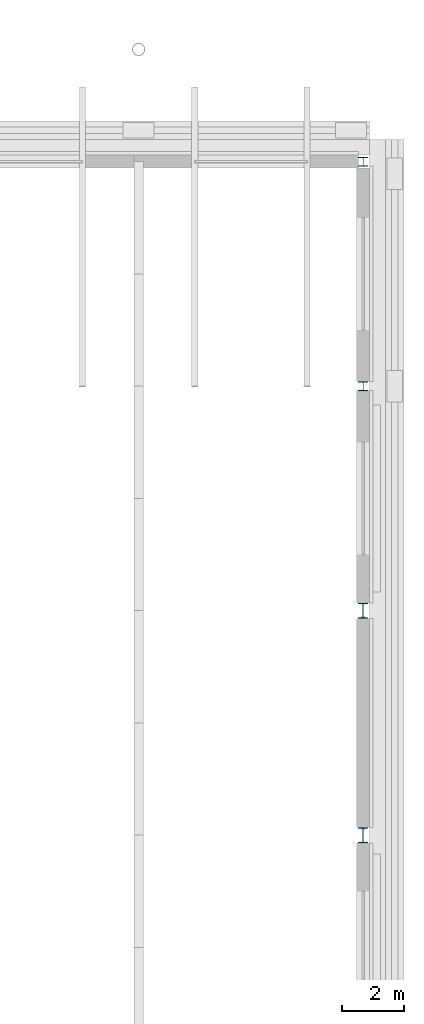
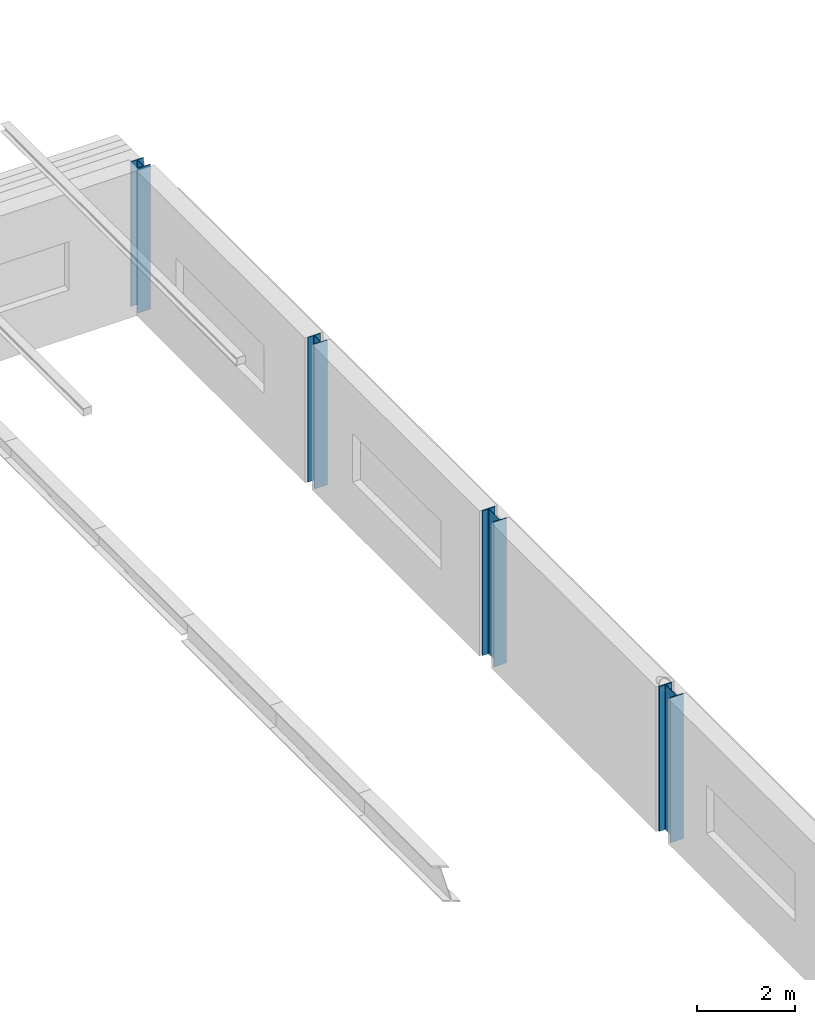
# One storey, part 17 of 110: 4 columns.
"""IFC4 building model written with IfcOpenShell, lengths in metres."""

import ifcopenshell
import ifcopenshell.guid

model = None  # the IFC model being written
_history = None  # IfcOwnerHistory: only IFC2X3 demands one
_inside = {}  # id of a spatial element -> (the spatial element, [elements in it])
_under = {}  # id of a project, library or spatial element -> (it, [spatial elements below it])
_declared = {}  # id of a project -> (the project, [libraries it declares])
_typed = {}  # id of a type object -> (the type object, [elements of that type])
_made_of = {}  # id of a material, layer set ... -> (it, [elements and type objects made of it])


def new_model(schema):
    """Start an empty IFC model of exactly this schema.

    Asked for "IFC4X3", IfcOpenShell would pick the latest addendum, in which some entities
    have other attributes; the version numbers below select the first issue.
    IFC2X3 requires an IfcOwnerHistory on every rooted entity: one is made here for all.
    """
    global model, _history
    if schema == "IFC4X3":
        model = ifcopenshell.file(schema_version=(4, 3, 0, 0))
    else:
        model = ifcopenshell.file(schema=schema)
    _inside.clear()
    _under.clear()
    _declared.clear()
    _typed.clear()
    _made_of.clear()
    _history = None
    if model.schema == "IFC2X3":
        org = make("IfcOrganization", Name="unknown")
        user = make(
            "IfcPersonAndOrganization",
            ThePerson=make("IfcPerson", FamilyName="unknown"),
            TheOrganization=org,
        )
        app = make(
            "IfcApplication",
            ApplicationDeveloper=org,
            Version="unknown",
            ApplicationFullName="unknown",
            ApplicationIdentifier="unknown",
        )
        _history = make(
            "IfcOwnerHistory",
            OwningUser=user,
            OwningApplication=app,
            ChangeAction="ADDED",
            CreationDate=0,
        )
    return model


def make(cls, **values):
    """One entity of the class cls with the attributes given. An attribute that is None is left unset."""
    return model.create_entity(
        cls, **{name: value for name, value in values.items() if value is not None}
    )


def rooted(cls, **values):
    """An entity with a GlobalId (a new one), such as an element, a storey or a relation."""
    return make(cls, GlobalId=ifcopenshell.guid.new(), OwnerHistory=_history, **values)


def si_unit(unit_type, name, prefix=None):
    """IfcSIUnit, for example si_unit("LENGTHUNIT", "METRE", prefix="MILLI")."""
    return make("IfcSIUnit", UnitType=unit_type, Prefix=prefix, Name=name)


def assignment(units):
    """IfcUnitAssignment: the units of a project."""
    return None if units is None else make("IfcUnitAssignment", Units=units)


def point(xyz):
    """IfcCartesianPoint."""
    return None if xyz is None else make("IfcCartesianPoint", Coordinates=xyz)


def direction(xyz):
    """IfcDirection."""
    return None if xyz is None else make("IfcDirection", DirectionRatios=xyz)


def frame(location, z_axis=None, x_axis=None):
    """IfcAxis2Placement3D, a coordinate frame: its origin and axes. An axis left out is left unset."""
    return make(
        "IfcAxis2Placement3D",
        Location=point(location),
        Axis=direction(z_axis),
        RefDirection=direction(x_axis),
    )


def frame_2d(location, x_axis=None):
    """IfcAxis2Placement2D, a coordinate frame in the plane: its origin and x axis."""
    return make(
        "IfcAxis2Placement2D", Location=point(location), RefDirection=direction(x_axis)
    )


def origin():
    """The frame at (0, 0, 0) with its axes left unset."""
    return frame((0.0, 0.0, 0.0))


def origin_2d():
    """The frame at (0, 0) in the plane with its x axis left unset."""
    return frame_2d((0.0, 0.0))


def place(relative_to, where):
    """IfcLocalPlacement: puts the frame where relative to a parent placement (None: the world)."""
    return make(
        "IfcLocalPlacement", PlacementRelTo=relative_to, RelativePlacement=where
    )


def context(
    kind, dimensions, precision=None, world=None, true_north=None, identifier=None
):
    """IfcGeometricRepresentationContext, for example the 3D "Model" context."""
    return make(
        "IfcGeometricRepresentationContext",
        ContextIdentifier=identifier,
        ContextType=kind,
        CoordinateSpaceDimension=dimensions,
        Precision=precision,
        WorldCoordinateSystem=world,
        TrueNorth=true_north,
    )


def subcontext(parent, identifier, kind, view, scale=None):
    """IfcGeometricRepresentationSubContext, for example "Body" below "Model"."""
    return make(
        "IfcGeometricRepresentationSubContext",
        ContextIdentifier=identifier,
        ContextType=kind,
        ParentContext=parent,
        TargetScale=scale,
        TargetView=view,
    )


def project(units=None, contexts=None):
    """IfcProject with its units and contexts."""
    return rooted(
        "IfcProject",
        Name="project",
        RepresentationContexts=contexts,
        UnitsInContext=assignment(units),
    )


def spatial(cls, under=None, at=None, **own):
    """A site, building, storey or space (cls), placed at a placement, below another one or the project."""
    s = rooted(cls, ObjectPlacement=at, **own)
    if under is not None:
        _under.setdefault(under.id(), (under, []))[1].append(s)
    return s


def profile(cls, at=None, kind="AREA", **sizes):
    """A parametric profile (cls). Its sizes go by their IFC names, for example OverallWidth=200.0."""
    return make(cls, ProfileType=kind, Position=at, **sizes)


def i_section(**sizes):
    """IfcIShapeProfileDef."""
    return profile("IfcIShapeProfileDef", **sizes)


def extrude(swept, where, along, depth):
    """IfcExtrudedAreaSolid: the profile swept, set in the frame where, extruded along a direction by depth."""
    return make(
        "IfcExtrudedAreaSolid",
        SweptArea=swept,
        Position=where,
        ExtrudedDirection=direction(along),
        Depth=depth,
    )


def shape(context_of_items, identifier, shape_type, items):
    """IfcShapeRepresentation: the items that make up one representation, for example the "Body"."""
    return make(
        "IfcShapeRepresentation",
        ContextOfItems=context_of_items,
        RepresentationIdentifier=identifier,
        RepresentationType=shape_type,
        Items=items,
    )


def material(Name=None, Category=None):
    """IfcMaterial."""
    return make("IfcMaterial", Name=Name, Category=Category)


def material_profile(
    of_material, cross_section, Name=None, Category=None, Priority=None
):
    """IfcMaterialProfile: a cross section and its material."""
    return make(
        "IfcMaterialProfile",
        Name=Name,
        Material=of_material,
        Profile=cross_section,
        Priority=Priority,
        Category=Category,
    )


def profile_set(profiles, Name=None, composite=None):
    """IfcMaterialProfileSet."""
    return make(
        "IfcMaterialProfileSet",
        Name=Name,
        MaterialProfiles=profiles,
        CompositeProfile=composite,
    )


def made_of(thing, what):
    """Note that an element or type object is made of a material, layer set ...; save() writes the relation."""
    if what is not None:
        _made_of.setdefault(what.id(), (what, []))[1].append(thing)
    return thing


def type_object(cls, material=None, **own):
    """A type object (cls), such as IfcWallType, which elements share."""
    return made_of(rooted(cls, **own), material)


def element(
    cls,
    number,
    at=None,
    inside=None,
    cuts=None,
    type_object=None,
    material=None,
    context=None,
    identifier="Body",
    shape_type=None,
    held_by="IfcProductDefinitionShape",
    body=None,
    shapes=None,
    **own,
):
    """One element of the class cls, such as IfcWall. Its Tag is "e" and its number.

    at: its placement. inside: the storey or other place that contains it. cuts: it is an
    opening in that element (IfcRelVoidsElement). A single representation is given by context,
    identifier, shape_type and body (its items); several are given by shapes. held_by: the class
    of the entity that holds the representations. save() writes the other relations.
    """
    e = rooted(cls, Tag="e%d" % number, ObjectPlacement=at, **own)
    if body is not None:
        shapes = [shape(context, identifier, shape_type, body)]
    if shapes is not None:
        e.Representation = make(held_by, Representations=shapes)
    if inside is not None:
        _inside.setdefault(inside.id(), (inside, []))[1].append(e)
    if cuts is not None:
        rooted(
            "IfcRelVoidsElement", RelatingBuildingElement=cuts, RelatedOpeningElement=e
        )
    if type_object is not None:
        _typed.setdefault(type_object.id(), (type_object, []))[1].append(e)
    return made_of(e, material)


def aggregate(whole, parts):
    """IfcRelAggregates: a whole, such as a stair, and the parts it consists of."""
    return rooted("IfcRelAggregates", RelatingObject=whole, RelatedObjects=parts)


def save(model, path):
    """Write the relations noted so far, then the file.

    IfcRelAggregates (storeys below a building ...), IfcRelContainedInSpatialStructure (elements
    in a storey), IfcRelDefinesByType, IfcRelAssociatesMaterial and IfcRelDeclares: one each for
    every whole, place, type object, material and project.
    """
    for whole, parts in _under.values():
        aggregate(whole, parts)
    for where, things in _inside.values():
        rooted(
            "IfcRelContainedInSpatialStructure",
            RelatedElements=things,
            RelatingStructure=where,
        )
    for kind, things in _typed.values():
        rooted("IfcRelDefinesByType", RelatedObjects=things, RelatingType=kind)
    for what, things in _made_of.values():
        rooted("IfcRelAssociatesMaterial", RelatedObjects=things, RelatingMaterial=what)
    for by, libraries in _declared.values():
        rooted("IfcRelDeclares", RelatingContext=by, RelatedDefinitions=libraries)
    model.write(path)


model = new_model("IFC4")

# Units and contexts
model_context = context("Model", 3, precision=1e-05, world=origin(), true_north=direction((0.0, 1.0)))
body_context = subcontext(model_context, "Body", "Model", "MODEL_VIEW")
ifc_project = project(units=[si_unit("LENGTHUNIT", "METRE"), si_unit("AREAUNIT", "SQUARE_METRE"), si_unit("VOLUMEUNIT", "CUBIC_METRE"), si_unit("PLANEANGLEUNIT", "RADIAN"), si_unit("MASSUNIT", "GRAM", prefix="KILO")], contexts=[model_context])

# Site, building, storey
site_placement = place(None, origin())
site = spatial("IfcSite", under=ifc_project, at=site_placement, CompositionType="ELEMENT")
building_placement = place(site_placement, origin())
building = spatial("IfcBuilding", under=site, at=building_placement, Name="Kupolbacken Congress Centre", CompositionType="ELEMENT")
storey_placement = place(building_placement, frame((0.0, 0.0, 18.0)))
storey = spatial("IfcBuildingStorey", under=building, at=storey_placement, Name="L05", CompositionType="ELEMENT", Elevation=18.0)

# Columns
ifc_material_1 = material(Name="Steel S355", Category="steel")
ifc_material_profile_1 = material_profile(ifc_material_1, i_section(OverallWidth=0.300048828125, OverallDepth=0.2900390625, WebThickness=0.008544921875, FlangeThickness=0.013916015625, FilletRadius=0.027099609375, at=origin_2d()), Name="HEA 300")
ifc_profile_set_1 = profile_set([ifc_material_profile_1], Name="Steel S355")
column_type_1 = type_object("IfcColumnType", Name="C09 column HEA 300", PredefinedType="COLUMN", material=ifc_profile_set_1)
for number, where, z_axis, x_axis, name in (
    (1, (201.60009765625, 108.0, 0.0), (0.0, 0.0, 1.0), (1.0, 0.0, 0.0), "S/col/C-H-PE10/L05"),
    (2, (201.60009765625, 115.199951171875, 0.0), (0.0, 0.0, 1.0), (1.0, 0.0, 0.0), "S/col/C-H-PE11/L05"),
):
    element("IfcColumn", number, at=place(storey_placement, frame(where, z_axis=z_axis, x_axis=x_axis)), inside=storey, type_object=column_type_1, Name=name, PredefinedType="COLUMN", context=body_context, shape_type="SweptSolid", body=[
        extrude(i_section(OverallWidth=0.300048828125, OverallDepth=0.2900390625, WebThickness=0.008544921875, FlangeThickness=0.013916015625, FilletRadius=0.027099609375, at=origin_2d()), origin(), (0.0, 0.0, 1.0), 3.60009765625),
    ])
ifc_material_2 = material(Name="Steel S355", Category="steel")
ifc_material_profile_2 = material_profile(ifc_material_2, i_section(OverallWidth=0.300048828125, OverallDepth=0.489990234375, WebThickness=0.011962890625, FlangeThickness=0.02294921875, FilletRadius=0.027099609375, at=origin_2d()), Name="HEA 500")
ifc_profile_set_2 = profile_set([ifc_material_profile_2], Name="Steel S355")
column_type_2 = type_object("IfcColumnType", Name="C14 column HEA 500", PredefinedType="COLUMN", material=ifc_profile_set_2)
for number, where, z_axis, x_axis, name in (
    (3, (201.60009765625, 93.60009765625, 0.0), (0.0, 0.0, 1.0), (1.0, 0.0, 0.0), "S/col/C-H-PE08/L05"),
    (4, (201.60009765625, 100.800048828125, 0.0), (0.0, 0.0, 1.0), (1.0, 0.0, 0.0), "S/col/C-H-PE09/L05"),
):
    element("IfcColumn", number, at=place(storey_placement, frame(where, z_axis=z_axis, x_axis=x_axis)), inside=storey, type_object=column_type_2, Name=name, PredefinedType="COLUMN", context=body_context, shape_type="SweptSolid", body=[
        extrude(i_section(OverallWidth=0.300048828125, OverallDepth=0.489990234375, WebThickness=0.011962890625, FlangeThickness=0.02294921875, FilletRadius=0.027099609375, at=origin_2d()), origin(), (0.0, 0.0, 1.0), 3.60009765625),
    ])

save(model, "model.ifc")
